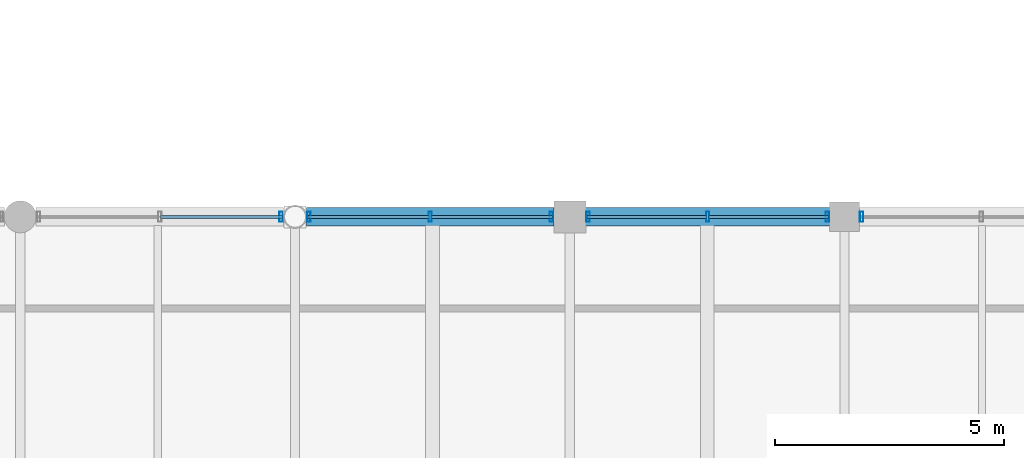
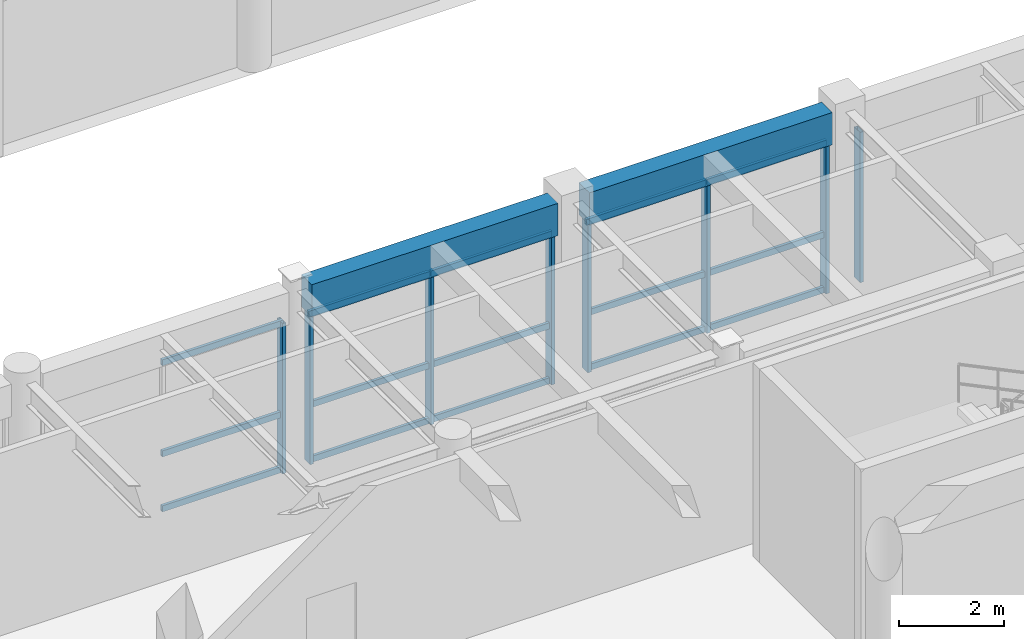
# One storey, part 32 of 116: 23 members, 2 beams, 4 elements without a shape of their own.
"""IFC4 building model written with IfcOpenShell, lengths in metres."""

from ifc_helpers import new_model, si_unit, direction, frame, origin, origin_2d, place, context, subcontext, project, spatial, rectangle, hollow_rectangle, extrude, material, material_profile, profile_set, type_object, element, aggregate, save


model = new_model("IFC4")

# Units and contexts
model_context = context("Model", 3, precision=1e-05, world=origin(), true_north=direction((0.0, 1.0)))
body_context = subcontext(model_context, "Body", "Model", "MODEL_VIEW")
ifc_project = project(units=[si_unit("LENGTHUNIT", "METRE"), si_unit("AREAUNIT", "SQUARE_METRE"), si_unit("VOLUMEUNIT", "CUBIC_METRE"), si_unit("PLANEANGLEUNIT", "RADIAN"), si_unit("MASSUNIT", "GRAM", prefix="KILO"), si_unit("THERMODYNAMICTEMPERATUREUNIT", "KELVIN"), si_unit("POWERUNIT", "WATT")], contexts=[model_context])

# Site, building, storey
site_placement = place(None, origin())
site = spatial("IfcSite", under=ifc_project, at=site_placement, CompositionType="ELEMENT")
building_placement = place(site_placement, origin())
building = spatial("IfcBuilding", under=site, at=building_placement, Name="Phaisarnlok Congress Hotel", CompositionType="ELEMENT")
storey_placement = place(building_placement, frame((0.0, 0.0, 10.5)))
storey = spatial("IfcBuildingStorey", under=building, at=storey_placement, Name="L02", CompositionType="ELEMENT", Elevation=10.5)

# Curtain wall, member
ifc_material_1 = material(Name="Thermally Broken Unitised Aluminium & Low-E Glazing", Category="aluminium")
curtain_wall_type_1 = type_object("IfcCurtainWallType", Name="CW-UNIT-16", PredefinedType="NOTDEFINED", material=ifc_material_1)
curtain_wall_1_placement = place(storey_placement, origin())
curtain_wall_1 = element("IfcCurtainWall", 1, at=curtain_wall_1_placement, inside=storey, type_object=curtain_wall_type_1, Name="Unitised curtain wall CW-16 (L02)", PredefinedType="NOTDEFINED")
ifc_material_2 = material(Name="Anodised Aluminium Alloy 6063-T6", Category="aluminium")
ifc_material_profile_1 = material_profile(ifc_material_2, hollow_rectangle(XDim=0.074951171875, YDim=0.219970703125, WallThickness=0.0048828125, at=origin_2d()), Name="ALU-M 75x220x5")
ifc_profile_set_1 = profile_set([ifc_material_profile_1], Name="Anodised Aluminium Alloy 6063-T6")
member_type_1 = type_object("IfcMemberType", Name="CWM-220", PredefinedType="MULLION", material=ifc_profile_set_1)
member_1_placement = place(storey_placement, frame((78.375, 96.0, 0.0), z_axis=(0.0, 0.0, 1.0), x_axis=(-1.0, 0.0, 0.0)))
member_1 = element("IfcMember", 2, at=member_1_placement, type_object=member_type_1, Name="Curtain wall mullion CWM-02", PredefinedType="MULLION", context=body_context, shape_type="SweptSolid", body=[
    extrude(hollow_rectangle(XDim=0.074951171875, YDim=0.219970703125, WallThickness=0.0048828125, at=origin_2d()), origin(), (0.0, 0.0, 1.0), 3.489990234375),
])
aggregate(curtain_wall_1, [member_1])

# Curtain wall, members
curtain_wall_2_placement = place(storey_placement, origin())
curtain_wall_2 = element("IfcCurtainWall", 3, at=curtain_wall_2_placement, inside=storey, type_object=curtain_wall_type_1, Name="Unitised curtain wall CW-16 (L02)", PredefinedType="NOTDEFINED")
member_2_placement = place(storey_placement, frame((77.625, 96.0, 0.0), z_axis=(0.0, 0.0, 1.0), x_axis=(-1.0, 0.0, 0.0)))
member_2 = element("IfcMember", 4, at=member_2_placement, type_object=member_type_1, Name="Curtain wall mullion CWM-02", PredefinedType="MULLION", context=body_context, shape_type="SweptSolid", body=[
    extrude(hollow_rectangle(XDim=0.074951171875, YDim=0.219970703125, WallThickness=0.0048828125, at=origin_2d()), origin(), (0.0, 0.0, 1.0), 3.489990234375),
])
member_3_placement = place(storey_placement, frame((75.012451171875, 96.0, 0.0), z_axis=(0.0, 0.0, 1.0), x_axis=(-1.0, 0.0, 0.0)))
member_3 = element("IfcMember", 5, at=member_3_placement, type_object=member_type_1, Name="Curtain wall mullion CWM-02", PredefinedType="MULLION", context=body_context, shape_type="SweptSolid", body=[
    extrude(hollow_rectangle(XDim=0.074951171875, YDim=0.219970703125, WallThickness=0.0048828125, at=origin_2d()), origin(), (0.0, 0.0, 1.0), 3.489990234375),
])
member_4_placement = place(storey_placement, frame((72.39990234375, 96.0, 0.0), z_axis=(0.0, 0.0, 1.0), x_axis=(-1.0, 0.0, 0.0)))
member_4 = element("IfcMember", 6, at=member_4_placement, type_object=member_type_1, Name="Curtain wall mullion CWM-02", PredefinedType="MULLION", context=body_context, shape_type="SweptSolid", body=[
    extrude(hollow_rectangle(XDim=0.074951171875, YDim=0.219970703125, WallThickness=0.0048828125, at=origin_2d()), origin(), (0.0, 0.0, 1.0), 3.489990234375),
])

curtain_wall_type_2 = type_object("IfcCurtainWallType", Name="CW-UNIT-17", PredefinedType="NOTDEFINED", material=ifc_material_1)
curtain_wall_3_placement = place(storey_placement, origin())
curtain_wall_3 = element("IfcCurtainWall", 7, at=curtain_wall_3_placement, inside=storey, type_object=curtain_wall_type_2, Name="Unitised curtain wall CW-17 (L02)", PredefinedType="NOTDEFINED")
member_5_placement = place(storey_placement, frame((71.60009765625, 96.0, 0.0), z_axis=(0.0, 0.0, 1.0), x_axis=(-1.0, 0.0, 0.0)))
member_5 = element("IfcMember", 8, at=member_5_placement, type_object=member_type_1, Name="Curtain wall mullion CWM-02", PredefinedType="MULLION", context=body_context, shape_type="SweptSolid", body=[
    extrude(hollow_rectangle(XDim=0.074951171875, YDim=0.219970703125, WallThickness=0.0048828125, at=origin_2d()), origin(), (0.0, 0.0, 1.0), 3.489990234375),
])
member_6_placement = place(storey_placement, frame((68.951904296875, 96.0, 0.0), z_axis=(0.0, 0.0, 1.0), x_axis=(-1.0, 0.0, 0.0)))
member_6 = element("IfcMember", 9, at=member_6_placement, type_object=member_type_1, Name="Curtain wall mullion CWM-02", PredefinedType="MULLION", context=body_context, shape_type="SweptSolid", body=[
    extrude(hollow_rectangle(XDim=0.074951171875, YDim=0.219970703125, WallThickness=0.0048828125, at=origin_2d()), origin(), (0.0, 0.0, 1.0), 3.489990234375),
])
member_7_placement = place(storey_placement, frame((66.303955078125, 96.0, 0.0), z_axis=(0.0, 0.0, 1.0), x_axis=(-1.0, 0.0, 0.0)))
member_7 = element("IfcMember", 10, at=member_7_placement, type_object=member_type_1, Name="Curtain wall mullion CWM-02", PredefinedType="MULLION", context=body_context, shape_type="SweptSolid", body=[
    extrude(hollow_rectangle(XDim=0.074951171875, YDim=0.219970703125, WallThickness=0.0048828125, at=origin_2d()), origin(), (0.0, 0.0, 1.0), 3.489990234375),
])

# Curtain wall, member
curtain_wall_4_placement = place(storey_placement, origin())
curtain_wall_4 = element("IfcCurtainWall", 11, at=curtain_wall_4_placement, inside=storey, type_object=curtain_wall_type_2, Name="Unitised curtain wall CW-17 (L02)", PredefinedType="NOTDEFINED")
member_8_placement = place(storey_placement, frame((65.696044921875, 96.0, 0.0), z_axis=(0.0, 0.0, 1.0), x_axis=(-1.0, 0.0, 0.0)))
member_8 = element("IfcMember", 12, at=member_8_placement, type_object=member_type_1, Name="Curtain wall mullion CWM-02", PredefinedType="MULLION", context=body_context, shape_type="SweptSolid", body=[
    extrude(hollow_rectangle(XDim=0.074951171875, YDim=0.219970703125, WallThickness=0.0048828125, at=origin_2d()), origin(), (0.0, 0.0, 1.0), 3.489990234375),
])

# Member
ifc_material_profile_2 = material_profile(ifc_material_2, hollow_rectangle(XDim=0.06494140625, YDim=0.139892578125, WallThickness=0.00390625, at=origin_2d()), Name="ALU-T 65x140x4")
ifc_profile_set_2 = profile_set([ifc_material_profile_2], Name="Anodised Aluminium Alloy 6063-T6")
member_type_2 = type_object("IfcMemberType", Name="CWT-150", PredefinedType="USERDEFINED", material=ifc_profile_set_2)
member_9_placement = place(storey_placement, frame((77.64990234375, 96.0, 0.050048828125), z_axis=(-1.0, 0.0, 0.0), x_axis=(0.0, -1.0, 0.0)))
member_9 = element("IfcMember", 13, at=member_9_placement, type_object=member_type_2, Name="Curtain wall transom CWT-01", ObjectType="TRANSOM", PredefinedType="USERDEFINED", context=body_context, shape_type="SweptSolid", body=[
    extrude(hollow_rectangle(XDim=0.06494140625, YDim=0.139892578125, WallThickness=0.00390625, at=origin_2d()), origin(), (0.0, 0.0, 1.0), 2.622314453125),
])

member_10_placement = place(storey_placement, frame((77.64990234375, 96.0, 1.326171875), z_axis=(-1.0, 0.0, 0.0), x_axis=(0.0, -1.0, 0.0)))
member_10 = element("IfcMember", 14, at=member_10_placement, type_object=member_type_2, Name="Curtain wall transom CWT-01", ObjectType="TRANSOM", PredefinedType="USERDEFINED", context=body_context, shape_type="SweptSolid", body=[
    extrude(hollow_rectangle(XDim=0.06494140625, YDim=0.139892578125, WallThickness=0.00390625, at=origin_2d()), origin(), (0.0, 0.0, 1.0), 2.622314453125),
])

member_11_placement = place(storey_placement, frame((77.64990234375, 96.0, 3.43994140625), z_axis=(-1.0, 0.0, 0.0), x_axis=(0.0, -1.0, 0.0)))
member_11 = element("IfcMember", 15, at=member_11_placement, type_object=member_type_2, Name="Curtain wall transom CWT-01", ObjectType="TRANSOM", PredefinedType="USERDEFINED", context=body_context, shape_type="SweptSolid", body=[
    extrude(hollow_rectangle(XDim=0.06494140625, YDim=0.139892578125, WallThickness=0.00390625, at=origin_2d()), origin(), (0.0, 0.0, 1.0), 2.622314453125),
])

member_12_placement = place(storey_placement, frame((74.99755859375, 96.0, 0.050048828125), z_axis=(-1.0, 0.0, 0.0), x_axis=(0.0, -1.0, 0.0)))
member_12 = element("IfcMember", 16, at=member_12_placement, type_object=member_type_2, Name="Curtain wall transom CWT-01", ObjectType="TRANSOM", PredefinedType="USERDEFINED", context=body_context, shape_type="SweptSolid", body=[
    extrude(hollow_rectangle(XDim=0.06494140625, YDim=0.139892578125, WallThickness=0.00390625, at=origin_2d()), origin(), (0.0, 0.0, 1.0), 2.62255859375),
])

member_13_placement = place(storey_placement, frame((74.99755859375, 96.0, 1.326171875), z_axis=(-1.0, 0.0, 0.0), x_axis=(0.0, -1.0, 0.0)))
member_13 = element("IfcMember", 17, at=member_13_placement, type_object=member_type_2, Name="Curtain wall transom CWT-01", ObjectType="TRANSOM", PredefinedType="USERDEFINED", context=body_context, shape_type="SweptSolid", body=[
    extrude(hollow_rectangle(XDim=0.06494140625, YDim=0.139892578125, WallThickness=0.00390625, at=origin_2d()), origin(), (0.0, 0.0, 1.0), 2.62255859375),
])

member_14_placement = place(storey_placement, frame((74.99755859375, 96.0, 3.43994140625), z_axis=(-1.0, 0.0, 0.0), x_axis=(0.0, -1.0, 0.0)))
member_14 = element("IfcMember", 18, at=member_14_placement, type_object=member_type_2, Name="Curtain wall transom CWT-01", ObjectType="TRANSOM", PredefinedType="USERDEFINED", context=body_context, shape_type="SweptSolid", body=[
    extrude(hollow_rectangle(XDim=0.06494140625, YDim=0.139892578125, WallThickness=0.00390625, at=origin_2d()), origin(), (0.0, 0.0, 1.0), 2.62255859375),
])

aggregate(curtain_wall_2, [member_2, member_3, member_4, member_9, member_10, member_11, member_12, member_13, member_14])

member_15_placement = place(storey_placement, frame((71.625, 96.0, 0.050048828125), z_axis=(-1.0, 0.0, 0.0), x_axis=(0.0, -1.0, 0.0)))
member_15 = element("IfcMember", 19, at=member_15_placement, type_object=member_type_2, Name="Curtain wall transom CWT-01", ObjectType="TRANSOM", PredefinedType="USERDEFINED", context=body_context, shape_type="SweptSolid", body=[
    extrude(hollow_rectangle(XDim=0.06494140625, YDim=0.139892578125, WallThickness=0.00390625, at=origin_2d()), origin(), (0.0, 0.0, 1.0), 2.657958984375),
])

member_16_placement = place(storey_placement, frame((71.625, 96.0, 1.326171875), z_axis=(-1.0, 0.0, 0.0), x_axis=(0.0, -1.0, 0.0)))
member_16 = element("IfcMember", 20, at=member_16_placement, type_object=member_type_2, Name="Curtain wall transom CWT-01", ObjectType="TRANSOM", PredefinedType="USERDEFINED", context=body_context, shape_type="SweptSolid", body=[
    extrude(hollow_rectangle(XDim=0.06494140625, YDim=0.139892578125, WallThickness=0.00390625, at=origin_2d()), origin(), (0.0, 0.0, 1.0), 2.657958984375),
])

member_17_placement = place(storey_placement, frame((71.625, 96.0, 3.43994140625), z_axis=(-1.0, 0.0, 0.0), x_axis=(0.0, -1.0, 0.0)))
member_17 = element("IfcMember", 21, at=member_17_placement, type_object=member_type_2, Name="Curtain wall transom CWT-01", ObjectType="TRANSOM", PredefinedType="USERDEFINED", context=body_context, shape_type="SweptSolid", body=[
    extrude(hollow_rectangle(XDim=0.06494140625, YDim=0.139892578125, WallThickness=0.00390625, at=origin_2d()), origin(), (0.0, 0.0, 1.0), 2.657958984375),
])

member_18_placement = place(storey_placement, frame((68.93701171875, 96.0, 0.050048828125), z_axis=(-1.0, 0.0, 0.0), x_axis=(0.0, -1.0, 0.0)))
member_18 = element("IfcMember", 22, at=member_18_placement, type_object=member_type_2, Name="Curtain wall transom CWT-01", ObjectType="TRANSOM", PredefinedType="USERDEFINED", context=body_context, shape_type="SweptSolid", body=[
    extrude(hollow_rectangle(XDim=0.06494140625, YDim=0.139892578125, WallThickness=0.00390625, at=origin_2d()), origin(), (0.0, 0.0, 1.0), 2.657958984375),
])

member_19_placement = place(storey_placement, frame((68.93701171875, 96.0, 1.326171875), z_axis=(-1.0, 0.0, 0.0), x_axis=(0.0, -1.0, 0.0)))
member_19 = element("IfcMember", 23, at=member_19_placement, type_object=member_type_2, Name="Curtain wall transom CWT-01", ObjectType="TRANSOM", PredefinedType="USERDEFINED", context=body_context, shape_type="SweptSolid", body=[
    extrude(hollow_rectangle(XDim=0.06494140625, YDim=0.139892578125, WallThickness=0.00390625, at=origin_2d()), origin(), (0.0, 0.0, 1.0), 2.657958984375),
])

member_20_placement = place(storey_placement, frame((68.93701171875, 96.0, 3.43994140625), z_axis=(-1.0, 0.0, 0.0), x_axis=(0.0, -1.0, 0.0)))
member_20 = element("IfcMember", 24, at=member_20_placement, type_object=member_type_2, Name="Curtain wall transom CWT-01", ObjectType="TRANSOM", PredefinedType="USERDEFINED", context=body_context, shape_type="SweptSolid", body=[
    extrude(hollow_rectangle(XDim=0.06494140625, YDim=0.139892578125, WallThickness=0.00390625, at=origin_2d()), origin(), (0.0, 0.0, 1.0), 2.657958984375),
])

aggregate(curtain_wall_3, [member_5, member_6, member_7, member_15, member_16, member_17, member_18, member_19, member_20])

member_21_placement = place(storey_placement, frame((65.720947265625, 96.0, 0.050048828125), z_axis=(-1.0, 0.0, 0.0), x_axis=(0.0, -1.0, 0.0)))
member_21 = element("IfcMember", 25, at=member_21_placement, type_object=member_type_2, Name="Curtain wall transom CWT-01", ObjectType="TRANSOM", PredefinedType="USERDEFINED", context=body_context, shape_type="SweptSolid", body=[
    extrude(hollow_rectangle(XDim=0.06494140625, YDim=0.139892578125, WallThickness=0.00390625, at=origin_2d()), origin(), (0.0, 0.0, 1.0), 2.657958984375),
])

member_22_placement = place(storey_placement, frame((65.720947265625, 96.0, 1.326171875), z_axis=(-1.0, 0.0, 0.0), x_axis=(0.0, -1.0, 0.0)))
member_22 = element("IfcMember", 26, at=member_22_placement, type_object=member_type_2, Name="Curtain wall transom CWT-01", ObjectType="TRANSOM", PredefinedType="USERDEFINED", context=body_context, shape_type="SweptSolid", body=[
    extrude(hollow_rectangle(XDim=0.06494140625, YDim=0.139892578125, WallThickness=0.00390625, at=origin_2d()), origin(), (0.0, 0.0, 1.0), 2.657958984375),
])

member_23_placement = place(storey_placement, frame((65.720947265625, 96.0, 3.43994140625), z_axis=(-1.0, 0.0, 0.0), x_axis=(0.0, -1.0, 0.0)))
member_23 = element("IfcMember", 27, at=member_23_placement, type_object=member_type_2, Name="Curtain wall transom CWT-01", ObjectType="TRANSOM", PredefinedType="USERDEFINED", context=body_context, shape_type="SweptSolid", body=[
    extrude(hollow_rectangle(XDim=0.06494140625, YDim=0.139892578125, WallThickness=0.00390625, at=origin_2d()), origin(), (0.0, 0.0, 1.0), 2.657958984375),
])

aggregate(curtain_wall_4, [member_8, member_21, member_22, member_23])

# Beams
ifc_material_3 = material(Name="Concrete C40/50", Category="concrete")
ifc_material_profile_3 = material_profile(ifc_material_3, rectangle(XDim=0.39990234375, YDim=0.75, at=origin_2d()), Name="RC 400x750")
ifc_profile_set_3 = profile_set([ifc_material_profile_3], Name="Concrete C40/50")
beam_type = type_object("IfcBeamType", Name="SP-RC-400x750", PredefinedType="SPANDREL", material=ifc_profile_set_3)
beam_1_placement = place(storey_placement, frame((66.2490234375, 96.0, 3.864990234375), z_axis=(1.0, 0.0, 0.0), x_axis=(0.0, 1.0, 0.0)))
element("IfcBeam", 28, at=beam_1_placement, inside=storey, type_object=beam_type, Name="Beam SP-02", PredefinedType="SPANDREL", context=body_context, shape_type="SweptSolid", body=[
    extrude(rectangle(XDim=0.39990234375, YDim=0.75, at=origin_2d()), origin(), (0.0, 0.0, 1.0), 5.406005859375),
])
beam_2_placement = place(storey_placement, frame((72.344970703125, 96.0, 3.864990234375), z_axis=(1.0, 0.0, 0.0), x_axis=(0.0, 1.0, 0.0)))
element("IfcBeam", 29, at=beam_2_placement, inside=storey, type_object=beam_type, Name="Beam SP-02", PredefinedType="SPANDREL", context=body_context, shape_type="SweptSolid", body=[
    extrude(rectangle(XDim=0.39990234375, YDim=0.75, at=origin_2d()), origin(), (0.0, 0.0, 1.0), 5.3349609375),
])

save(model, "model.ifc")
